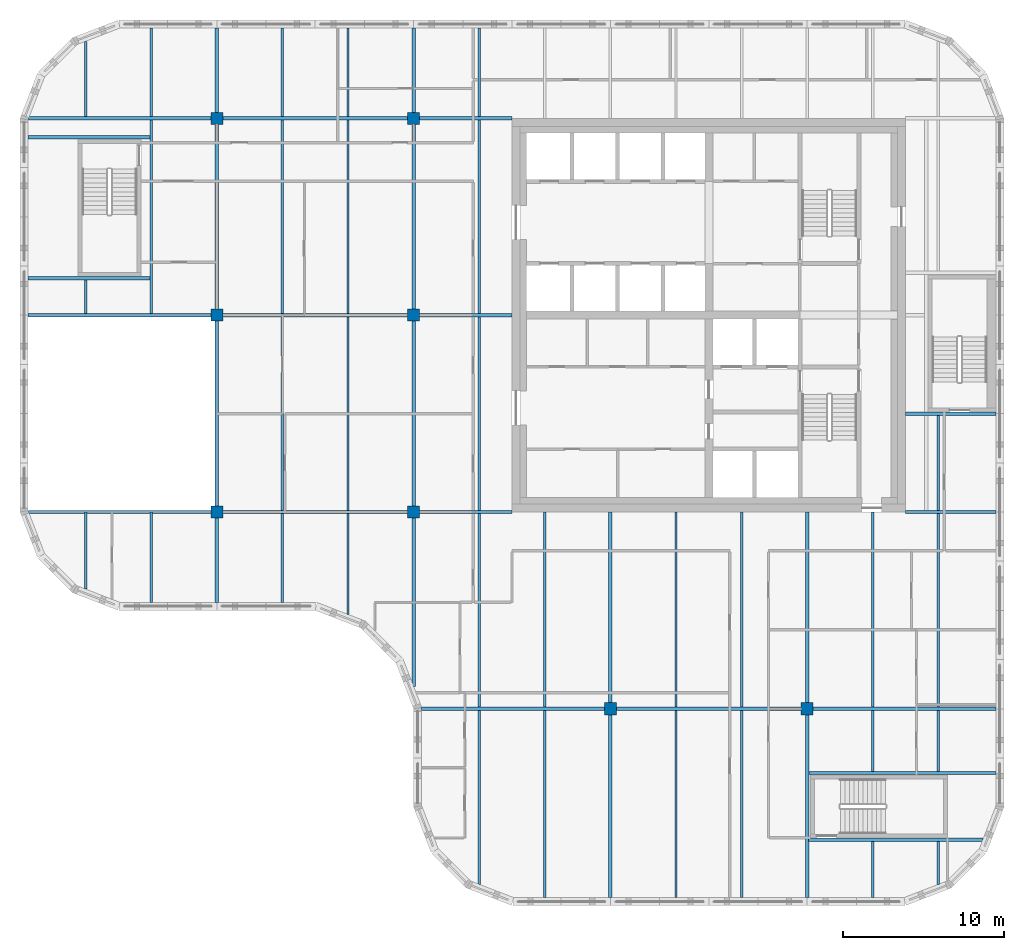
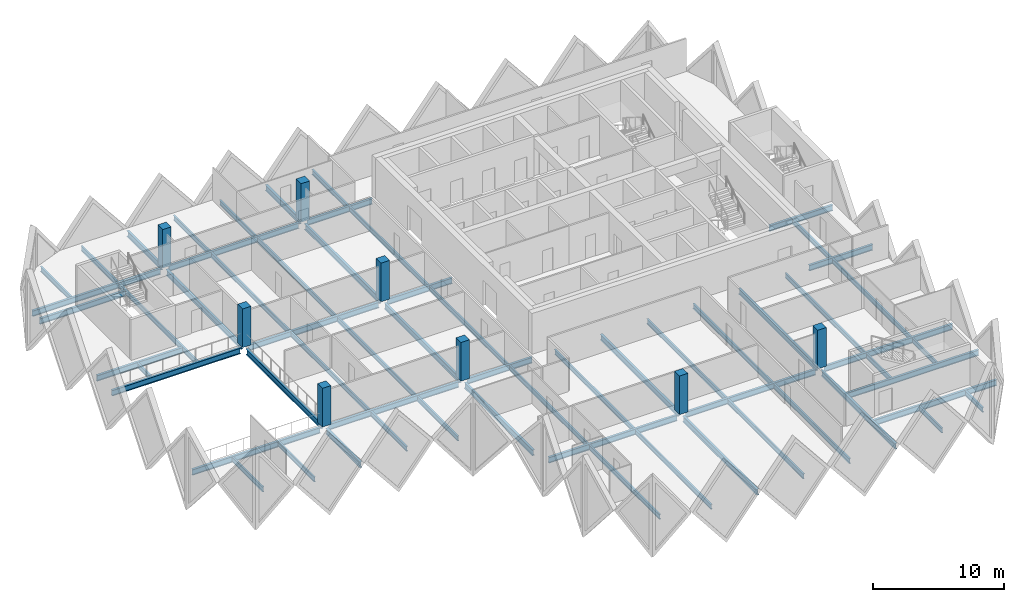
# One storey, part 1 of 12: 62 beams, 8 columns.
"""IFC4 building model written with IfcOpenShell, lengths in metres."""

from ifc_helpers import new_model, si_unit, direction, frame, origin, origin_2d, place, context, subcontext, project, spatial, rectangle, i_section, extrude, material, material_profile, profile_set, type_object, element, save


model = new_model("IFC4")

# Units and contexts
model_context = context("Model", 3, precision=1e-05, world=origin(), true_north=direction((0.0, 1.0)))
body_context = subcontext(model_context, "Body", "Model", "MODEL_VIEW")
ifc_project = project(units=[si_unit("LENGTHUNIT", "METRE"), si_unit("AREAUNIT", "SQUARE_METRE"), si_unit("VOLUMEUNIT", "CUBIC_METRE"), si_unit("PLANEANGLEUNIT", "RADIAN"), si_unit("MASSUNIT", "GRAM", prefix="KILO")], contexts=[model_context])

# Site, building, storey
site_placement = place(None, origin())
site = spatial("IfcSite", under=ifc_project, at=site_placement, CompositionType="ELEMENT")
building_placement = place(site_placement, origin())
building = spatial("IfcBuilding", under=site, at=building_placement, Name="Tessera Gate Towers", CompositionType="ELEMENT")
storey_placement = place(building_placement, frame((0.0, 0.0, 216.89990234375)))
storey = spatial("IfcBuildingStorey", under=building, at=storey_placement, Name="L54", CompositionType="ELEMENT", Elevation=216.89990234375)

# Columns
ifc_material_1 = material(Name="Concrete C70/85", Category="concrete")
ifc_material_profile_1 = material_profile(ifc_material_1, rectangle(XDim=0.75, YDim=0.75, at=origin_2d()), Name="RC 750x750")
ifc_profile_set_1 = profile_set([ifc_material_profile_1], Name="Concrete C70/85")
column_type = type_object("IfcColumnType", Name="COLUMN RC 750x750", PredefinedType="COLUMN", material=ifc_profile_set_1)
for number, where, z_axis, x_axis, name in (
    (1, (12.199951171875, 24.39990234375, 0.0), (0.0, 0.0, 1.0), (1.0, 0.0, 0.0), "T1-COL-2C-L54"),
    (2, (12.199951171875, 36.60009765625, 0.0), (0.0, 0.0, 1.0), (1.0, 0.0, 0.0), "T1-COL-2D-L54"),
    (3, (12.199951171875, 48.800048828125, 0.0), (0.0, 0.0, 1.0), (1.0, 0.0, 0.0), "T1-COL-2E-L54"),
    (4, (24.39990234375, 24.39990234375, 0.0), (0.0, 0.0, 1.0), (1.0, 0.0, 0.0), "T1-COL-3C-L54"),
    (5, (24.39990234375, 36.60009765625, 0.0), (0.0, 0.0, 1.0), (1.0, 0.0, 0.0), "T1-COL-3D-L54"),
    (6, (24.39990234375, 48.800048828125, 0.0), (0.0, 0.0, 1.0), (1.0, 0.0, 0.0), "T1-COL-3E-L54"),
    (7, (36.60009765625, 12.199951171875, 0.0), (0.0, 0.0, 1.0), (1.0, 0.0, 0.0), "T1-COL-4B-L54"),
    (8, (48.800048828125, 12.199951171875, 0.0), (0.0, 0.0, 1.0), (1.0, 0.0, 0.0), "T1-COL-5B-L54"),
):
    element("IfcColumn", number, at=place(storey_placement, frame(where, z_axis=z_axis, x_axis=x_axis)), inside=storey, type_object=column_type, Name=name, PredefinedType="COLUMN", context=body_context, shape_type="SweptSolid", body=[
        extrude(rectangle(XDim=0.75, YDim=0.75, at=origin_2d()), origin(), (0.0, 0.0, 1.0), 3.60009765625),
    ])

# Beams
ifc_material_2 = material(Name="Steel 350W", Category="steel")
ifc_material_profile_2 = material_profile(ifc_material_2, i_section(OverallWidth=0.208984375, OverallDepth=0.532958984375, WebThickness=0.01025390625, FlangeThickness=0.015625, at=origin_2d()), Name="W530x92")
ifc_profile_set_2 = profile_set([ifc_material_profile_2], Name="Steel 350W")
beam_type_1 = type_object("IfcBeamType", Name="FLOOR GIRDER W530x92", PredefinedType="BEAM", material=ifc_profile_set_2)
beam_1_placement = place(storey_placement, frame((24.89892578125, 12.199951171875, -0.46630859375), z_axis=(1.0, 0.0, 0.0), x_axis=(0.0, 1.0, 0.0)))
element("IfcBeam", 9, at=beam_1_placement, inside=storey, type_object=beam_type_1, Name="T1-GD-L54-5552", PredefinedType="BEAM", context=body_context, shape_type="SweptSolid", body=[
    extrude(i_section(OverallWidth=0.208984375, OverallDepth=0.532958984375, WebThickness=0.01025390625, FlangeThickness=0.015625, at=origin_2d()), origin(), (0.0, 0.0, 1.0), 11.326171875),
])
beam_2_placement = place(storey_placement, frame((36.97509765625, 12.199951171875, -0.46630859375), z_axis=(1.0, 0.0, 0.0), x_axis=(0.0, 1.0, 0.0)))
element("IfcBeam", 10, at=beam_2_placement, inside=storey, type_object=beam_type_1, Name="T1-GD-L54-5553", PredefinedType="BEAM", context=body_context, shape_type="SweptSolid", body=[
    extrude(i_section(OverallWidth=0.208984375, OverallDepth=0.532958984375, WebThickness=0.01025390625, FlangeThickness=0.015625, at=origin_2d()), origin(), (0.0, 0.0, 1.0), 11.449951171875),
])
beam_3_placement = place(storey_placement, frame((49.175048828125, 12.199951171875, -0.46630859375), z_axis=(1.0, 0.0, 0.0), x_axis=(0.0, 1.0, 0.0)))
element("IfcBeam", 11, at=beam_3_placement, inside=storey, type_object=beam_type_1, Name="T1-GD-L54-5554", PredefinedType="BEAM", context=body_context, shape_type="SweptSolid", body=[
    extrude(i_section(OverallWidth=0.208984375, OverallDepth=0.532958984375, WebThickness=0.01025390625, FlangeThickness=0.015625, at=origin_2d()), origin(), (0.0, 0.0, 1.0), 11.325927734375),
])
beam_4_placement = place(storey_placement, frame((0.534912109375, 24.39990234375, -0.46630859375), z_axis=(1.0, 0.0, 0.0), x_axis=(0.0, 1.0, 0.0)))
element("IfcBeam", 12, at=beam_4_placement, inside=storey, type_object=beam_type_1, Name="T1-GD-L54-5555", PredefinedType="BEAM", context=body_context, shape_type="SweptSolid", body=[
    extrude(i_section(OverallWidth=0.208984375, OverallDepth=0.532958984375, WebThickness=0.01025390625, FlangeThickness=0.015625, at=origin_2d()), origin(), (0.0, 0.0, 1.0), 11.2900390625),
])
beam_5_placement = place(storey_placement, frame((12.574951171875, 24.39990234375, -0.46630859375), z_axis=(1.0, 0.0, 0.0), x_axis=(0.0, 1.0, 0.0)))
element("IfcBeam", 13, at=beam_5_placement, inside=storey, type_object=beam_type_1, Name="T1-GD-L54-5556", PredefinedType="BEAM", context=body_context, shape_type="SweptSolid", body=[
    extrude(i_section(OverallWidth=0.208984375, OverallDepth=0.532958984375, WebThickness=0.01025390625, FlangeThickness=0.015625, at=origin_2d()), origin(), (0.0, 0.0, 1.0), 11.449951171875),
])
beam_6_placement = place(storey_placement, frame((24.77490234375, 24.39990234375, -0.46630859375), z_axis=(1.0, 0.0, 0.0), x_axis=(0.0, 1.0, 0.0)))
element("IfcBeam", 14, at=beam_6_placement, inside=storey, type_object=beam_type_1, Name="T1-GD-L54-5557", PredefinedType="BEAM", context=body_context, shape_type="SweptSolid", body=[
    extrude(i_section(OverallWidth=0.208984375, OverallDepth=0.532958984375, WebThickness=0.01025390625, FlangeThickness=0.015625, at=origin_2d()), origin(), (0.0, 0.0, 1.0), 5.72412109375),
])
beam_7_placement = place(storey_placement, frame((54.90087890625, 24.39990234375, -0.46630859375), z_axis=(1.0, 0.0, 0.0), x_axis=(0.0, 1.0, 0.0)))
element("IfcBeam", 15, at=beam_7_placement, inside=storey, type_object=beam_type_1, Name="T1-GD-L54-5558", PredefinedType="BEAM", context=body_context, shape_type="SweptSolid", body=[
    extrude(i_section(OverallWidth=0.208984375, OverallDepth=0.532958984375, WebThickness=0.01025390625, FlangeThickness=0.015625, at=origin_2d()), origin(), (0.0, 0.0, 1.0), 5.60009765625),
])
beam_8_placement = place(storey_placement, frame((0.4990234375, 36.60009765625, -0.46630859375), z_axis=(1.0, 0.0, 0.0), x_axis=(0.0, 1.0, 0.0)))
element("IfcBeam", 16, at=beam_8_placement, inside=storey, type_object=beam_type_1, Name="T1-GD-L54-5559", PredefinedType="BEAM", context=body_context, shape_type="SweptSolid", body=[
    extrude(i_section(OverallWidth=0.208984375, OverallDepth=0.532958984375, WebThickness=0.01025390625, FlangeThickness=0.015625, at=origin_2d()), origin(), (0.0, 0.0, 1.0), 11.325927734375),
])
beam_9_placement = place(storey_placement, frame((12.574951171875, 36.60009765625, -0.46630859375), z_axis=(1.0, 0.0, 0.0), x_axis=(0.0, 1.0, 0.0)))
element("IfcBeam", 17, at=beam_9_placement, inside=storey, type_object=beam_type_1, Name="T1-GD-L54-5560", PredefinedType="BEAM", context=body_context, shape_type="SweptSolid", body=[
    extrude(i_section(OverallWidth=0.208984375, OverallDepth=0.532958984375, WebThickness=0.01025390625, FlangeThickness=0.015625, at=origin_2d()), origin(), (0.0, 0.0, 1.0), 11.449951171875),
])
beam_10_placement = place(storey_placement, frame((24.77490234375, 36.60009765625, -0.46630859375), z_axis=(1.0, 0.0, 0.0), x_axis=(0.0, 1.0, 0.0)))
element("IfcBeam", 18, at=beam_10_placement, inside=storey, type_object=beam_type_1, Name="T1-GD-L54-5561", PredefinedType="BEAM", context=body_context, shape_type="SweptSolid", body=[
    extrude(i_section(OverallWidth=0.208984375, OverallDepth=0.532958984375, WebThickness=0.01025390625, FlangeThickness=0.015625, at=origin_2d()), origin(), (0.0, 0.0, 1.0), 5.72607421875),
])
beam_11_placement = place(storey_placement, frame((0.534912109375, 48.800048828125, -0.46630859375), z_axis=(1.0, 0.0, 0.0), x_axis=(0.0, 1.0, 0.0)))
element("IfcBeam", 19, at=beam_11_placement, inside=storey, type_object=beam_type_1, Name="T1-GD-L54-5563", PredefinedType="BEAM", context=body_context, shape_type="SweptSolid", body=[
    extrude(i_section(OverallWidth=0.208984375, OverallDepth=0.532958984375, WebThickness=0.01025390625, FlangeThickness=0.015625, at=origin_2d()), origin(), (0.0, 0.0, 1.0), 11.2900390625),
])
beam_12_placement = place(storey_placement, frame((12.574951171875, 48.800048828125, -0.46630859375), z_axis=(1.0, 0.0, 0.0), x_axis=(0.0, 1.0, 0.0)))
element("IfcBeam", 20, at=beam_12_placement, inside=storey, type_object=beam_type_1, Name="T1-GD-L54-5564", PredefinedType="BEAM", context=body_context, shape_type="SweptSolid", body=[
    extrude(i_section(OverallWidth=0.208984375, OverallDepth=0.532958984375, WebThickness=0.01025390625, FlangeThickness=0.015625, at=origin_2d()), origin(), (0.0, 0.0, 1.0), 11.449951171875),
])
beam_13_placement = place(storey_placement, frame((24.77490234375, 48.800048828125, -0.46630859375), z_axis=(1.0, 0.0, 0.0), x_axis=(0.0, 1.0, 0.0)))
element("IfcBeam", 21, at=beam_13_placement, inside=storey, type_object=beam_type_1, Name="T1-GD-L54-5565", PredefinedType="BEAM", context=body_context, shape_type="SweptSolid", body=[
    extrude(i_section(OverallWidth=0.208984375, OverallDepth=0.532958984375, WebThickness=0.01025390625, FlangeThickness=0.015625, at=origin_2d()), origin(), (0.0, 0.0, 1.0), 5.72412109375),
])
beam_14_placement = place(storey_placement, frame((12.199951171875, 18.799072265625, -0.46630859375), z_axis=(0.0, 1.0, 0.0), x_axis=(-1.0, 0.0, 0.0)))
element("IfcBeam", 22, at=beam_14_placement, inside=storey, type_object=beam_type_1, Name="T1-GD-L54-5567", PredefinedType="BEAM", context=body_context, shape_type="SweptSolid", body=[
    extrude(i_section(OverallWidth=0.208984375, OverallDepth=0.532958984375, WebThickness=0.01025390625, FlangeThickness=0.015625, at=origin_2d()), origin(), (0.0, 0.0, 1.0), 5.225830078125),
])
beam_15_placement = place(storey_placement, frame((12.199951171875, 24.77490234375, -0.46630859375), z_axis=(0.0, 1.0, 0.0), x_axis=(-1.0, 0.0, 0.0)))
element("IfcBeam", 23, at=beam_15_placement, inside=storey, type_object=beam_type_1, Name="T1-GD-L54-5568", PredefinedType="BEAM", context=body_context, shape_type="SweptSolid", body=[
    extrude(i_section(OverallWidth=0.208984375, OverallDepth=0.532958984375, WebThickness=0.01025390625, FlangeThickness=0.015625, at=origin_2d()), origin(), (0.0, 0.0, 1.0), 11.4501953125),
])
beam_16_placement = place(storey_placement, frame((12.199951171875, 36.97509765625, -0.46630859375), z_axis=(0.0, 1.0, 0.0), x_axis=(-1.0, 0.0, 0.0)))
element("IfcBeam", 24, at=beam_16_placement, inside=storey, type_object=beam_type_1, Name="T1-GD-L54-5569", PredefinedType="BEAM", context=body_context, shape_type="SweptSolid", body=[
    extrude(i_section(OverallWidth=0.208984375, OverallDepth=0.532958984375, WebThickness=0.01025390625, FlangeThickness=0.015625, at=origin_2d()), origin(), (0.0, 0.0, 1.0), 11.449951171875),
])
beam_17_placement = place(storey_placement, frame((12.199951171875, 49.175048828125, -0.46630859375), z_axis=(0.0, 1.0, 0.0), x_axis=(-1.0, 0.0, 0.0)))
element("IfcBeam", 25, at=beam_17_placement, inside=storey, type_object=beam_type_1, Name="T1-GD-L54-5570", PredefinedType="BEAM", context=body_context, shape_type="SweptSolid", body=[
    extrude(i_section(OverallWidth=0.208984375, OverallDepth=0.532958984375, WebThickness=0.01025390625, FlangeThickness=0.015625, at=origin_2d()), origin(), (0.0, 0.0, 1.0), 5.225830078125),
])
beam_18_placement = place(storey_placement, frame((24.39990234375, 13.58642578125, -0.46630859375), z_axis=(0.0, 1.0, 0.0), x_axis=(-1.0, 0.0, 0.0)))
element("IfcBeam", 26, at=beam_18_placement, inside=storey, type_object=beam_type_1, Name="T1-GD-L54-5571", PredefinedType="BEAM", context=body_context, shape_type="SweptSolid", body=[
    extrude(i_section(OverallWidth=0.208984375, OverallDepth=0.532958984375, WebThickness=0.01025390625, FlangeThickness=0.015625, at=origin_2d()), origin(), (0.0, 0.0, 1.0), 10.4384765625),
])
beam_19_placement = place(storey_placement, frame((24.39990234375, 24.77490234375, -0.46630859375), z_axis=(0.0, 1.0, 0.0), x_axis=(-1.0, 0.0, 0.0)))
element("IfcBeam", 27, at=beam_19_placement, inside=storey, type_object=beam_type_1, Name="T1-GD-L54-5572", PredefinedType="BEAM", context=body_context, shape_type="SweptSolid", body=[
    extrude(i_section(OverallWidth=0.208984375, OverallDepth=0.532958984375, WebThickness=0.01025390625, FlangeThickness=0.015625, at=origin_2d()), origin(), (0.0, 0.0, 1.0), 11.4501953125),
])
beam_20_placement = place(storey_placement, frame((24.39990234375, 36.97509765625, -0.46630859375), z_axis=(0.0, 1.0, 0.0), x_axis=(-1.0, 0.0, 0.0)))
element("IfcBeam", 28, at=beam_20_placement, inside=storey, type_object=beam_type_1, Name="T1-GD-L54-5573", PredefinedType="BEAM", context=body_context, shape_type="SweptSolid", body=[
    extrude(i_section(OverallWidth=0.208984375, OverallDepth=0.532958984375, WebThickness=0.01025390625, FlangeThickness=0.015625, at=origin_2d()), origin(), (0.0, 0.0, 1.0), 11.449951171875),
])
beam_21_placement = place(storey_placement, frame((24.39990234375, 49.175048828125, -0.46630859375), z_axis=(0.0, 1.0, 0.0), x_axis=(-1.0, 0.0, 0.0)))
element("IfcBeam", 29, at=beam_21_placement, inside=storey, type_object=beam_type_1, Name="T1-GD-L54-5574", PredefinedType="BEAM", context=body_context, shape_type="SweptSolid", body=[
    extrude(i_section(OverallWidth=0.208984375, OverallDepth=0.532958984375, WebThickness=0.01025390625, FlangeThickness=0.015625, at=origin_2d()), origin(), (0.0, 0.0, 1.0), 5.225830078125),
])
beam_22_placement = place(storey_placement, frame((36.60009765625, 0.4990234375, -0.46630859375), z_axis=(0.0, 1.0, 0.0), x_axis=(-1.0, 0.0, 0.0)))
element("IfcBeam", 30, at=beam_22_placement, inside=storey, type_object=beam_type_1, Name="T1-GD-L54-5575", PredefinedType="BEAM", context=body_context, shape_type="SweptSolid", body=[
    extrude(i_section(OverallWidth=0.208984375, OverallDepth=0.532958984375, WebThickness=0.01025390625, FlangeThickness=0.015625, at=origin_2d()), origin(), (0.0, 0.0, 1.0), 11.325927734375),
])
beam_23_placement = place(storey_placement, frame((36.60009765625, 12.574951171875, -0.46630859375), z_axis=(0.0, 1.0, 0.0), x_axis=(-1.0, 0.0, 0.0)))
element("IfcBeam", 31, at=beam_23_placement, inside=storey, type_object=beam_type_1, Name="T1-GD-L54-5576", PredefinedType="BEAM", context=body_context, shape_type="SweptSolid", body=[
    extrude(i_section(OverallWidth=0.208984375, OverallDepth=0.532958984375, WebThickness=0.01025390625, FlangeThickness=0.015625, at=origin_2d()), origin(), (0.0, 0.0, 1.0), 11.824951171875),
])
beam_24_placement = place(storey_placement, frame((48.800048828125, 0.4990234375, -0.46630859375), z_axis=(0.0, 1.0, 0.0), x_axis=(-1.0, 0.0, 0.0)))
element("IfcBeam", 32, at=beam_24_placement, inside=storey, type_object=beam_type_1, Name="T1-GD-L54-5577", PredefinedType="BEAM", context=body_context, shape_type="SweptSolid", body=[
    extrude(i_section(OverallWidth=0.208984375, OverallDepth=0.532958984375, WebThickness=0.01025390625, FlangeThickness=0.015625, at=origin_2d()), origin(), (0.0, 0.0, 1.0), 11.325927734375),
])
beam_25_placement = place(storey_placement, frame((48.800048828125, 12.574951171875, -0.46630859375), z_axis=(0.0, 1.0, 0.0), x_axis=(-1.0, 0.0, 0.0)))
element("IfcBeam", 33, at=beam_25_placement, inside=storey, type_object=beam_type_1, Name="T1-GD-L54-5578", PredefinedType="BEAM", context=body_context, shape_type="SweptSolid", body=[
    extrude(i_section(OverallWidth=0.208984375, OverallDepth=0.532958984375, WebThickness=0.01025390625, FlangeThickness=0.015625, at=origin_2d()), origin(), (0.0, 0.0, 1.0), 11.824951171875),
])
for number, where, z_axis, x_axis, name in (
    (34, (0.4990234375, 38.8798828125, -0.46630859375), (1.0, 0.0, 0.0), (0.0, 1.0, 0.0), "T1-GD-L54-5579"),
    (35, (0.4990234375, 47.6201171875, -0.46630859375), (1.0, 0.0, 0.0), (0.0, 1.0, 0.0), "T1-GD-L54-5580"),
):
    element("IfcBeam", number, at=place(storey_placement, frame(where, z_axis=z_axis, x_axis=x_axis)), inside=storey, type_object=beam_type_1, Name=name, PredefinedType="BEAM", context=body_context, shape_type="SweptSolid", body=[
        extrude(i_section(OverallWidth=0.208984375, OverallDepth=0.532958984375, WebThickness=0.01025390625, FlangeThickness=0.015625, at=origin_2d()), origin(), (0.0, 0.0, 1.0), 7.557861328125),
    ])
beam_26_placement = place(storey_placement, frame((48.87646484375, 4.080078125, -0.46630859375), z_axis=(1.0, 0.0, 0.0), x_axis=(0.0, 1.0, 0.0)))
element("IfcBeam", 36, at=beam_26_placement, inside=storey, type_object=beam_type_1, Name="T1-GD-L54-5581", PredefinedType="BEAM", context=body_context, shape_type="SweptSolid", body=[
    extrude(i_section(OverallWidth=0.208984375, OverallDepth=0.532958984375, WebThickness=0.01025390625, FlangeThickness=0.015625, at=origin_2d()), origin(), (0.0, 0.0, 1.0), 10.809326171875),
])
beam_27_placement = place(storey_placement, frame((48.87646484375, 8.219970703125, -0.46630859375), z_axis=(1.0, 0.0, 0.0), x_axis=(0.0, 1.0, 0.0)))
element("IfcBeam", 37, at=beam_27_placement, inside=storey, type_object=beam_type_1, Name="T1-GD-L54-5582", PredefinedType="BEAM", context=body_context, shape_type="SweptSolid", body=[
    extrude(i_section(OverallWidth=0.208984375, OverallDepth=0.532958984375, WebThickness=0.01025390625, FlangeThickness=0.015625, at=origin_2d()), origin(), (0.0, 0.0, 1.0), 11.62451171875),
])
beam_28_placement = place(storey_placement, frame((54.89892578125, 30.47998046875, -0.46630859375), z_axis=(1.0, 0.0, 0.0), x_axis=(0.0, 1.0, 0.0)))
element("IfcBeam", 38, at=beam_28_placement, inside=storey, type_object=beam_type_1, Name="T1-GD-L54-5583", PredefinedType="BEAM", context=body_context, shape_type="SweptSolid", body=[
    extrude(i_section(OverallWidth=0.208984375, OverallDepth=0.532958984375, WebThickness=0.01025390625, FlangeThickness=0.015625, at=origin_2d()), origin(), (0.0, 0.0, 1.0), 5.60205078125),
])
ifc_material_3 = material(Name="Steel 350W", Category="steel")
ifc_material_profile_3 = material_profile(ifc_material_3, i_section(OverallWidth=0.153076171875, OverallDepth=0.455078125, WebThickness=0.008056640625, FlangeThickness=0.01318359375, at=origin_2d()), Name="W460x60")
ifc_profile_set_3 = profile_set([ifc_material_profile_3], Name="Steel 350W")
beam_type_2 = type_object("IfcBeamType", Name="FLOOR SECONDARY W460x60", PredefinedType="BEAM", material=ifc_profile_set_3)
beam_29_placement = place(storey_placement, frame((4.066650390625, 19.620361328125, -0.427490234375), z_axis=(0.0, 1.0, 0.0), x_axis=(-1.0, 0.0, 0.0)))
element("IfcBeam", 39, at=beam_29_placement, inside=storey, type_object=beam_type_2, Name="T1-BM-L54-5586", PredefinedType="BEAM", context=body_context, shape_type="SweptSolid", body=[
    extrude(i_section(OverallWidth=0.153076171875, OverallDepth=0.455078125, WebThickness=0.008056640625, FlangeThickness=0.01318359375, at=origin_2d()), origin(), (0.0, 0.0, 1.0), 4.779541015625),
])
beam_30_placement = place(storey_placement, frame((4.066650390625, 36.70458984375, -0.427490234375), z_axis=(0.0, 1.0, 0.0), x_axis=(-1.0, 0.0, 0.0)))
element("IfcBeam", 40, at=beam_30_placement, inside=storey, type_object=beam_type_2, Name="T1-BM-L54-5587", PredefinedType="BEAM", context=body_context, shape_type="SweptSolid", body=[
    extrude(i_section(OverallWidth=0.153076171875, OverallDepth=0.455078125, WebThickness=0.008056640625, FlangeThickness=0.01318359375, at=origin_2d()), origin(), (0.0, 0.0, 1.0), 2.07080078125),
])
beam_31_placement = place(storey_placement, frame((4.066650390625, 48.904541015625, -0.427490234375), z_axis=(0.0, 1.0, 0.0), x_axis=(-1.0, 0.0, 0.0)))
element("IfcBeam", 41, at=beam_31_placement, inside=storey, type_object=beam_type_2, Name="T1-BM-L54-5588", PredefinedType="BEAM", context=body_context, shape_type="SweptSolid", body=[
    extrude(i_section(OverallWidth=0.153076171875, OverallDepth=0.455078125, WebThickness=0.008056640625, FlangeThickness=0.01318359375, at=origin_2d()), origin(), (0.0, 0.0, 1.0), 4.675048828125),
])
beam_32_placement = place(storey_placement, frame((8.13330078125, 18.800048828125, -0.427490234375), z_axis=(0.0, 1.0, 0.0), x_axis=(-1.0, 0.0, 0.0)))
element("IfcBeam", 42, at=beam_32_placement, inside=storey, type_object=beam_type_2, Name="T1-BM-L54-5589", PredefinedType="BEAM", context=body_context, shape_type="SweptSolid", body=[
    extrude(i_section(OverallWidth=0.153076171875, OverallDepth=0.455078125, WebThickness=0.008056640625, FlangeThickness=0.01318359375, at=origin_2d()), origin(), (0.0, 0.0, 1.0), 5.599853515625),
])
beam_33_placement = place(storey_placement, frame((8.13330078125, 36.70458984375, -0.427490234375), z_axis=(0.0, 1.0, 0.0), x_axis=(-1.0, 0.0, 0.0)))
element("IfcBeam", 43, at=beam_33_placement, inside=storey, type_object=beam_type_2, Name="T1-BM-L54-5590", PredefinedType="BEAM", context=body_context, shape_type="SweptSolid", body=[
    extrude(i_section(OverallWidth=0.153076171875, OverallDepth=0.455078125, WebThickness=0.008056640625, FlangeThickness=0.01318359375, at=origin_2d()), origin(), (0.0, 0.0, 1.0), 11.990966796875),
])
for number, where, z_axis, x_axis, name in (
    (44, (8.13330078125, 48.904541015625, -0.427490234375), (0.0, 1.0, 0.0), (-1.0, 0.0, 0.0), "T1-BM-L54-5591"),
    (45, (16.2666015625, 18.800048828125, -0.427490234375), (0.0, 1.0, 0.0), (-1.0, 0.0, 0.0), "T1-BM-L54-5592"),
):
    element("IfcBeam", number, at=place(storey_placement, frame(where, z_axis=z_axis, x_axis=x_axis)), inside=storey, type_object=beam_type_2, Name=name, PredefinedType="BEAM", context=body_context, shape_type="SweptSolid", body=[
        extrude(i_section(OverallWidth=0.153076171875, OverallDepth=0.455078125, WebThickness=0.008056640625, FlangeThickness=0.01318359375, at=origin_2d()), origin(), (0.0, 0.0, 1.0), 5.495361328125),
    ])
beam_34_placement = place(storey_placement, frame((16.2666015625, 24.50439453125, -0.427490234375), z_axis=(0.0, 1.0, 0.0), x_axis=(-1.0, 0.0, 0.0)))
element("IfcBeam", 46, at=beam_34_placement, inside=storey, type_object=beam_type_2, Name="T1-BM-L54-5593", PredefinedType="BEAM", context=body_context, shape_type="SweptSolid", body=[
    extrude(i_section(OverallWidth=0.153076171875, OverallDepth=0.455078125, WebThickness=0.008056640625, FlangeThickness=0.01318359375, at=origin_2d()), origin(), (0.0, 0.0, 1.0), 11.9912109375),
])
beam_35_placement = place(storey_placement, frame((16.2666015625, 36.70458984375, -0.427490234375), z_axis=(0.0, 1.0, 0.0), x_axis=(-1.0, 0.0, 0.0)))
element("IfcBeam", 47, at=beam_35_placement, inside=storey, type_object=beam_type_2, Name="T1-BM-L54-5594", PredefinedType="BEAM", context=body_context, shape_type="SweptSolid", body=[
    extrude(i_section(OverallWidth=0.153076171875, OverallDepth=0.455078125, WebThickness=0.008056640625, FlangeThickness=0.01318359375, at=origin_2d()), origin(), (0.0, 0.0, 1.0), 11.990966796875),
])
beam_36_placement = place(storey_placement, frame((16.2666015625, 48.904541015625, -0.427490234375), z_axis=(0.0, 1.0, 0.0), x_axis=(-1.0, 0.0, 0.0)))
element("IfcBeam", 48, at=beam_36_placement, inside=storey, type_object=beam_type_2, Name="T1-BM-L54-5595", PredefinedType="BEAM", context=body_context, shape_type="SweptSolid", body=[
    extrude(i_section(OverallWidth=0.153076171875, OverallDepth=0.455078125, WebThickness=0.008056640625, FlangeThickness=0.01318359375, at=origin_2d()), origin(), (0.0, 0.0, 1.0), 5.495361328125),
])
beam_37_placement = place(storey_placement, frame((20.333251953125, 18.051513671875, -0.427490234375), z_axis=(0.0, 1.0, 0.0), x_axis=(-1.0, 0.0, 0.0)))
element("IfcBeam", 49, at=beam_37_placement, inside=storey, type_object=beam_type_2, Name="T1-BM-L54-5596", PredefinedType="BEAM", context=body_context, shape_type="SweptSolid", body=[
    extrude(i_section(OverallWidth=0.153076171875, OverallDepth=0.455078125, WebThickness=0.008056640625, FlangeThickness=0.01318359375, at=origin_2d()), origin(), (0.0, 0.0, 1.0), 6.243896484375),
])
beam_38_placement = place(storey_placement, frame((20.333251953125, 24.50439453125, -0.427490234375), z_axis=(0.0, 1.0, 0.0), x_axis=(-1.0, 0.0, 0.0)))
element("IfcBeam", 50, at=beam_38_placement, inside=storey, type_object=beam_type_2, Name="T1-BM-L54-5597", PredefinedType="BEAM", context=body_context, shape_type="SweptSolid", body=[
    extrude(i_section(OverallWidth=0.153076171875, OverallDepth=0.455078125, WebThickness=0.008056640625, FlangeThickness=0.01318359375, at=origin_2d()), origin(), (0.0, 0.0, 1.0), 11.9912109375),
])
beam_39_placement = place(storey_placement, frame((20.333251953125, 36.70458984375, -0.427490234375), z_axis=(0.0, 1.0, 0.0), x_axis=(-1.0, 0.0, 0.0)))
element("IfcBeam", 51, at=beam_39_placement, inside=storey, type_object=beam_type_2, Name="T1-BM-L54-5598", PredefinedType="BEAM", context=body_context, shape_type="SweptSolid", body=[
    extrude(i_section(OverallWidth=0.153076171875, OverallDepth=0.455078125, WebThickness=0.008056640625, FlangeThickness=0.01318359375, at=origin_2d()), origin(), (0.0, 0.0, 1.0), 11.990966796875),
])
beam_40_placement = place(storey_placement, frame((20.333251953125, 48.904541015625, -0.427490234375), z_axis=(0.0, 1.0, 0.0), x_axis=(-1.0, 0.0, 0.0)))
element("IfcBeam", 52, at=beam_40_placement, inside=storey, type_object=beam_type_2, Name="T1-BM-L54-5599", PredefinedType="BEAM", context=body_context, shape_type="SweptSolid", body=[
    extrude(i_section(OverallWidth=0.153076171875, OverallDepth=0.455078125, WebThickness=0.008056640625, FlangeThickness=0.01318359375, at=origin_2d()), origin(), (0.0, 0.0, 1.0), 5.495361328125),
])
beam_41_placement = place(storey_placement, frame((28.466796875, 1.3203125, -0.427490234375), z_axis=(0.0, 1.0, 0.0), x_axis=(-1.0, 0.0, 0.0)))
element("IfcBeam", 53, at=beam_41_placement, inside=storey, type_object=beam_type_2, Name="T1-BM-L54-5600", PredefinedType="BEAM", context=body_context, shape_type="SweptSolid", body=[
    extrude(i_section(OverallWidth=0.153076171875, OverallDepth=0.455078125, WebThickness=0.008056640625, FlangeThickness=0.01318359375, at=origin_2d()), origin(), (0.0, 0.0, 1.0), 10.775146484375),
])
beam_42_placement = place(storey_placement, frame((28.466796875, 12.304443359375, -0.427490234375), z_axis=(0.0, 1.0, 0.0), x_axis=(-1.0, 0.0, 0.0)))
element("IfcBeam", 54, at=beam_42_placement, inside=storey, type_object=beam_type_2, Name="T1-BM-L54-5601", PredefinedType="BEAM", context=body_context, shape_type="SweptSolid", body=[
    extrude(i_section(OverallWidth=0.153076171875, OverallDepth=0.455078125, WebThickness=0.008056640625, FlangeThickness=0.01318359375, at=origin_2d()), origin(), (0.0, 0.0, 1.0), 11.990966796875),
])
beam_43_placement = place(storey_placement, frame((28.466796875, 24.50439453125, -0.427490234375), z_axis=(0.0, 1.0, 0.0), x_axis=(-1.0, 0.0, 0.0)))
element("IfcBeam", 55, at=beam_43_placement, inside=storey, type_object=beam_type_2, Name="T1-BM-L54-5602", PredefinedType="BEAM", context=body_context, shape_type="SweptSolid", body=[
    extrude(i_section(OverallWidth=0.153076171875, OverallDepth=0.455078125, WebThickness=0.008056640625, FlangeThickness=0.01318359375, at=origin_2d()), origin(), (0.0, 0.0, 1.0), 11.9912109375),
])
beam_44_placement = place(storey_placement, frame((28.466796875, 36.70458984375, -0.427490234375), z_axis=(0.0, 1.0, 0.0), x_axis=(-1.0, 0.0, 0.0)))
element("IfcBeam", 56, at=beam_44_placement, inside=storey, type_object=beam_type_2, Name="T1-BM-L54-5603", PredefinedType="BEAM", context=body_context, shape_type="SweptSolid", body=[
    extrude(i_section(OverallWidth=0.153076171875, OverallDepth=0.455078125, WebThickness=0.008056640625, FlangeThickness=0.01318359375, at=origin_2d()), origin(), (0.0, 0.0, 1.0), 11.990966796875),
])
beam_45_placement = place(storey_placement, frame((28.466796875, 48.904541015625, -0.427490234375), z_axis=(0.0, 1.0, 0.0), x_axis=(-1.0, 0.0, 0.0)))
element("IfcBeam", 57, at=beam_45_placement, inside=storey, type_object=beam_type_2, Name="T1-BM-L54-5604", PredefinedType="BEAM", context=body_context, shape_type="SweptSolid", body=[
    extrude(i_section(OverallWidth=0.153076171875, OverallDepth=0.455078125, WebThickness=0.008056640625, FlangeThickness=0.01318359375, at=origin_2d()), origin(), (0.0, 0.0, 1.0), 5.495361328125),
])
beam_46_placement = place(storey_placement, frame((32.533203125, 0.5, -0.427490234375), z_axis=(0.0, 1.0, 0.0), x_axis=(-1.0, 0.0, 0.0)))
element("IfcBeam", 58, at=beam_46_placement, inside=storey, type_object=beam_type_2, Name="T1-BM-L54-5605", PredefinedType="BEAM", context=body_context, shape_type="SweptSolid", body=[
    extrude(i_section(OverallWidth=0.153076171875, OverallDepth=0.455078125, WebThickness=0.008056640625, FlangeThickness=0.01318359375, at=origin_2d()), origin(), (0.0, 0.0, 1.0), 11.595458984375),
])
beam_47_placement = place(storey_placement, frame((32.533203125, 12.304443359375, -0.427490234375), z_axis=(0.0, 1.0, 0.0), x_axis=(-1.0, 0.0, 0.0)))
element("IfcBeam", 59, at=beam_47_placement, inside=storey, type_object=beam_type_2, Name="T1-BM-L54-5606", PredefinedType="BEAM", context=body_context, shape_type="SweptSolid", body=[
    extrude(i_section(OverallWidth=0.153076171875, OverallDepth=0.455078125, WebThickness=0.008056640625, FlangeThickness=0.01318359375, at=origin_2d()), origin(), (0.0, 0.0, 1.0), 12.095458984375),
])
beam_48_placement = place(storey_placement, frame((40.666748046875, 0.5, -0.427490234375), z_axis=(0.0, 1.0, 0.0), x_axis=(-1.0, 0.0, 0.0)))
element("IfcBeam", 60, at=beam_48_placement, inside=storey, type_object=beam_type_2, Name="T1-BM-L54-5609", PredefinedType="BEAM", context=body_context, shape_type="SweptSolid", body=[
    extrude(i_section(OverallWidth=0.153076171875, OverallDepth=0.455078125, WebThickness=0.008056640625, FlangeThickness=0.01318359375, at=origin_2d()), origin(), (0.0, 0.0, 1.0), 11.595458984375),
])
beam_49_placement = place(storey_placement, frame((40.666748046875, 12.304443359375, -0.427490234375), z_axis=(0.0, 1.0, 0.0), x_axis=(-1.0, 0.0, 0.0)))
element("IfcBeam", 61, at=beam_49_placement, inside=storey, type_object=beam_type_2, Name="T1-BM-L54-5610", PredefinedType="BEAM", context=body_context, shape_type="SweptSolid", body=[
    extrude(i_section(OverallWidth=0.153076171875, OverallDepth=0.455078125, WebThickness=0.008056640625, FlangeThickness=0.01318359375, at=origin_2d()), origin(), (0.0, 0.0, 1.0), 12.095458984375),
])
beam_50_placement = place(storey_placement, frame((44.7333984375, 0.5, -0.427490234375), z_axis=(0.0, 1.0, 0.0), x_axis=(-1.0, 0.0, 0.0)))
element("IfcBeam", 62, at=beam_50_placement, inside=storey, type_object=beam_type_2, Name="T1-BM-L54-5612", PredefinedType="BEAM", context=body_context, shape_type="SweptSolid", body=[
    extrude(i_section(OverallWidth=0.153076171875, OverallDepth=0.455078125, WebThickness=0.008056640625, FlangeThickness=0.01318359375, at=origin_2d()), origin(), (0.0, 0.0, 1.0), 11.595458984375),
])
beam_51_placement = place(storey_placement, frame((44.7333984375, 12.304443359375, -0.427490234375), z_axis=(0.0, 1.0, 0.0), x_axis=(-1.0, 0.0, 0.0)))
element("IfcBeam", 63, at=beam_51_placement, inside=storey, type_object=beam_type_2, Name="T1-BM-L54-5613", PredefinedType="BEAM", context=body_context, shape_type="SweptSolid", body=[
    extrude(i_section(OverallWidth=0.153076171875, OverallDepth=0.455078125, WebThickness=0.008056640625, FlangeThickness=0.01318359375, at=origin_2d()), origin(), (0.0, 0.0, 1.0), 12.095458984375),
])
beam_52_placement = place(storey_placement, frame((52.86669921875, 0.5, -0.427490234375), z_axis=(0.0, 1.0, 0.0), x_axis=(-1.0, 0.0, 0.0)))
element("IfcBeam", 64, at=beam_52_placement, inside=storey, type_object=beam_type_2, Name="T1-BM-L54-5616", PredefinedType="BEAM", context=body_context, shape_type="SweptSolid", body=[
    extrude(i_section(OverallWidth=0.153076171875, OverallDepth=0.455078125, WebThickness=0.008056640625, FlangeThickness=0.01318359375, at=origin_2d()), origin(), (0.0, 0.0, 1.0), 3.4755859375),
])
beam_53_placement = place(storey_placement, frame((52.86669921875, 8.324462890625, -0.427490234375), z_axis=(0.0, 1.0, 0.0), x_axis=(-1.0, 0.0, 0.0)))
element("IfcBeam", 65, at=beam_53_placement, inside=storey, type_object=beam_type_2, Name="T1-BM-L54-5617", PredefinedType="BEAM", context=body_context, shape_type="SweptSolid", body=[
    extrude(i_section(OverallWidth=0.153076171875, OverallDepth=0.455078125, WebThickness=0.008056640625, FlangeThickness=0.01318359375, at=origin_2d()), origin(), (0.0, 0.0, 1.0), 3.77099609375),
])
beam_54_placement = place(storey_placement, frame((52.86669921875, 12.304443359375, -0.427490234375), z_axis=(0.0, 1.0, 0.0), x_axis=(-1.0, 0.0, 0.0)))
element("IfcBeam", 66, at=beam_54_placement, inside=storey, type_object=beam_type_2, Name="T1-BM-L54-5618", PredefinedType="BEAM", context=body_context, shape_type="SweptSolid", body=[
    extrude(i_section(OverallWidth=0.153076171875, OverallDepth=0.455078125, WebThickness=0.008056640625, FlangeThickness=0.01318359375, at=origin_2d()), origin(), (0.0, 0.0, 1.0), 12.095458984375),
])
beam_55_placement = place(storey_placement, frame((56.933349609375, 1.3203125, -0.427490234375), z_axis=(0.0, 1.0, 0.0), x_axis=(-1.0, 0.0, 0.0)))
element("IfcBeam", 67, at=beam_55_placement, inside=storey, type_object=beam_type_2, Name="T1-BM-L54-5620", PredefinedType="BEAM", context=body_context, shape_type="SweptSolid", body=[
    extrude(i_section(OverallWidth=0.153076171875, OverallDepth=0.455078125, WebThickness=0.008056640625, FlangeThickness=0.01318359375, at=origin_2d()), origin(), (0.0, 0.0, 1.0), 2.6552734375),
])
beam_56_placement = place(storey_placement, frame((56.933349609375, 8.324462890625, -0.427490234375), z_axis=(0.0, 1.0, 0.0), x_axis=(-1.0, 0.0, 0.0)))
element("IfcBeam", 68, at=beam_56_placement, inside=storey, type_object=beam_type_2, Name="T1-BM-L54-5621", PredefinedType="BEAM", context=body_context, shape_type="SweptSolid", body=[
    extrude(i_section(OverallWidth=0.153076171875, OverallDepth=0.455078125, WebThickness=0.008056640625, FlangeThickness=0.01318359375, at=origin_2d()), origin(), (0.0, 0.0, 1.0), 3.77099609375),
])
beam_57_placement = place(storey_placement, frame((56.933349609375, 12.304443359375, -0.427490234375), z_axis=(0.0, 1.0, 0.0), x_axis=(-1.0, 0.0, 0.0)))
element("IfcBeam", 69, at=beam_57_placement, inside=storey, type_object=beam_type_2, Name="T1-BM-L54-5622", PredefinedType="BEAM", context=body_context, shape_type="SweptSolid", body=[
    extrude(i_section(OverallWidth=0.153076171875, OverallDepth=0.455078125, WebThickness=0.008056640625, FlangeThickness=0.01318359375, at=origin_2d()), origin(), (0.0, 0.0, 1.0), 11.990966796875),
])
beam_58_placement = place(storey_placement, frame((56.933349609375, 24.50439453125, -0.427490234375), z_axis=(0.0, 1.0, 0.0), x_axis=(-1.0, 0.0, 0.0)))
element("IfcBeam", 70, at=beam_58_placement, inside=storey, type_object=beam_type_2, Name="T1-BM-L54-5623", PredefinedType="BEAM", context=body_context, shape_type="SweptSolid", body=[
    extrude(i_section(OverallWidth=0.153076171875, OverallDepth=0.455078125, WebThickness=0.008056640625, FlangeThickness=0.01318359375, at=origin_2d()), origin(), (0.0, 0.0, 1.0), 5.87109375),
])

save(model, "model.ifc")
